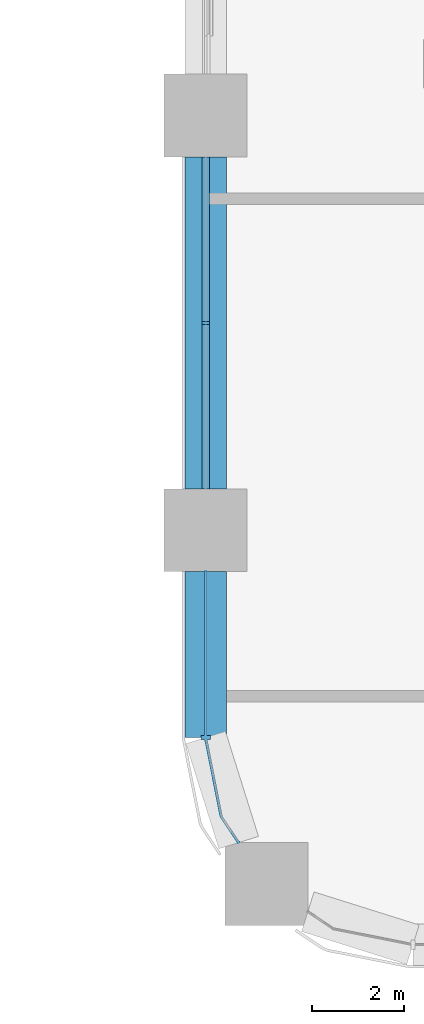
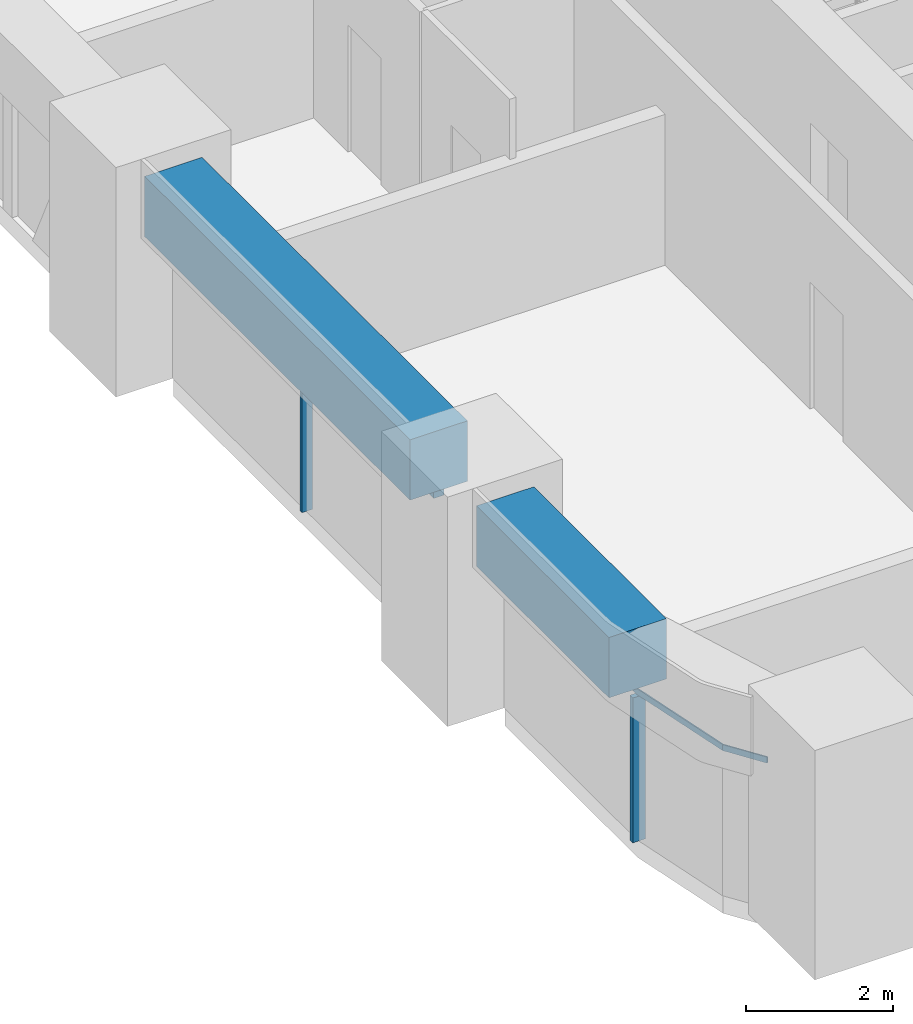
# One storey, part 2 of 18: 4 members, 2 beams, 2 elements without a shape of their own.
"""IFC4 building model written with IfcOpenShell, lengths in metres."""

import ifcopenshell
import ifcopenshell.guid

model = None  # the IFC model being written
_history = None  # IfcOwnerHistory: only IFC2X3 demands one
_inside = {}  # id of a spatial element -> (the spatial element, [elements in it])
_under = {}  # id of a project, library or spatial element -> (it, [spatial elements below it])
_declared = {}  # id of a project -> (the project, [libraries it declares])
_typed = {}  # id of a type object -> (the type object, [elements of that type])
_made_of = {}  # id of a material, layer set ... -> (it, [elements and type objects made of it])


def new_model(schema):
    """Start an empty IFC model of exactly this schema.

    Asked for "IFC4X3", IfcOpenShell would pick the latest addendum, in which some entities
    have other attributes; the version numbers below select the first issue.
    IFC2X3 requires an IfcOwnerHistory on every rooted entity: one is made here for all.
    """
    global model, _history
    if schema == "IFC4X3":
        model = ifcopenshell.file(schema_version=(4, 3, 0, 0))
    else:
        model = ifcopenshell.file(schema=schema)
    _inside.clear()
    _under.clear()
    _declared.clear()
    _typed.clear()
    _made_of.clear()
    _history = None
    if model.schema == "IFC2X3":
        org = make("IfcOrganization", Name="unknown")
        user = make(
            "IfcPersonAndOrganization",
            ThePerson=make("IfcPerson", FamilyName="unknown"),
            TheOrganization=org,
        )
        app = make(
            "IfcApplication",
            ApplicationDeveloper=org,
            Version="unknown",
            ApplicationFullName="unknown",
            ApplicationIdentifier="unknown",
        )
        _history = make(
            "IfcOwnerHistory",
            OwningUser=user,
            OwningApplication=app,
            ChangeAction="ADDED",
            CreationDate=0,
        )
    return model


def make(cls, **values):
    """One entity of the class cls with the attributes given. An attribute that is None is left unset."""
    return model.create_entity(
        cls, **{name: value for name, value in values.items() if value is not None}
    )


def rooted(cls, **values):
    """An entity with a GlobalId (a new one), such as an element, a storey or a relation."""
    return make(cls, GlobalId=ifcopenshell.guid.new(), OwnerHistory=_history, **values)


def si_unit(unit_type, name, prefix=None):
    """IfcSIUnit, for example si_unit("LENGTHUNIT", "METRE", prefix="MILLI")."""
    return make("IfcSIUnit", UnitType=unit_type, Prefix=prefix, Name=name)


def assignment(units):
    """IfcUnitAssignment: the units of a project."""
    return None if units is None else make("IfcUnitAssignment", Units=units)


def point(xyz):
    """IfcCartesianPoint."""
    return None if xyz is None else make("IfcCartesianPoint", Coordinates=xyz)


def direction(xyz):
    """IfcDirection."""
    return None if xyz is None else make("IfcDirection", DirectionRatios=xyz)


def frame(location, z_axis=None, x_axis=None):
    """IfcAxis2Placement3D, a coordinate frame: its origin and axes. An axis left out is left unset."""
    return make(
        "IfcAxis2Placement3D",
        Location=point(location),
        Axis=direction(z_axis),
        RefDirection=direction(x_axis),
    )


def frame_2d(location, x_axis=None):
    """IfcAxis2Placement2D, a coordinate frame in the plane: its origin and x axis."""
    return make(
        "IfcAxis2Placement2D", Location=point(location), RefDirection=direction(x_axis)
    )


def origin():
    """The frame at (0, 0, 0) with its axes left unset."""
    return frame((0.0, 0.0, 0.0))


def origin_2d():
    """The frame at (0, 0) in the plane with its x axis left unset."""
    return frame_2d((0.0, 0.0))


def place(relative_to, where):
    """IfcLocalPlacement: puts the frame where relative to a parent placement (None: the world)."""
    return make(
        "IfcLocalPlacement", PlacementRelTo=relative_to, RelativePlacement=where
    )


def context(
    kind, dimensions, precision=None, world=None, true_north=None, identifier=None
):
    """IfcGeometricRepresentationContext, for example the 3D "Model" context."""
    return make(
        "IfcGeometricRepresentationContext",
        ContextIdentifier=identifier,
        ContextType=kind,
        CoordinateSpaceDimension=dimensions,
        Precision=precision,
        WorldCoordinateSystem=world,
        TrueNorth=true_north,
    )


def subcontext(parent, identifier, kind, view, scale=None):
    """IfcGeometricRepresentationSubContext, for example "Body" below "Model"."""
    return make(
        "IfcGeometricRepresentationSubContext",
        ContextIdentifier=identifier,
        ContextType=kind,
        ParentContext=parent,
        TargetScale=scale,
        TargetView=view,
    )


def project(units=None, contexts=None):
    """IfcProject with its units and contexts."""
    return rooted(
        "IfcProject",
        Name="project",
        RepresentationContexts=contexts,
        UnitsInContext=assignment(units),
    )


def spatial(cls, under=None, at=None, **own):
    """A site, building, storey or space (cls), placed at a placement, below another one or the project."""
    s = rooted(cls, ObjectPlacement=at, **own)
    if under is not None:
        _under.setdefault(under.id(), (under, []))[1].append(s)
    return s


def polyline(points):
    """IfcPolyline through the points."""
    return make("IfcPolyline", Points=[point(p) for p in points])


def profile(cls, at=None, kind="AREA", **sizes):
    """A parametric profile (cls). Its sizes go by their IFC names, for example OverallWidth=200.0."""
    return make(cls, ProfileType=kind, Position=at, **sizes)


def rectangle(**sizes):
    """IfcRectangleProfileDef."""
    return profile("IfcRectangleProfileDef", **sizes)


def outline(outer, holes=None, kind="AREA"):
    """IfcArbitraryClosedProfileDef: a profile drawn as a closed curve; with holes, ...WithVoids."""
    if holes is None:
        return make("IfcArbitraryClosedProfileDef", ProfileType=kind, OuterCurve=outer)
    return make(
        "IfcArbitraryProfileDefWithVoids",
        ProfileType=kind,
        OuterCurve=outer,
        InnerCurves=holes,
    )


def extrude(swept, where, along, depth):
    """IfcExtrudedAreaSolid: the profile swept, set in the frame where, extruded along a direction by depth."""
    return make(
        "IfcExtrudedAreaSolid",
        SweptArea=swept,
        Position=where,
        ExtrudedDirection=direction(along),
        Depth=depth,
    )


def shape(context_of_items, identifier, shape_type, items):
    """IfcShapeRepresentation: the items that make up one representation, for example the "Body"."""
    return make(
        "IfcShapeRepresentation",
        ContextOfItems=context_of_items,
        RepresentationIdentifier=identifier,
        RepresentationType=shape_type,
        Items=items,
    )


def material(Name=None, Category=None):
    """IfcMaterial."""
    return make("IfcMaterial", Name=Name, Category=Category)


def material_profile(
    of_material, cross_section, Name=None, Category=None, Priority=None
):
    """IfcMaterialProfile: a cross section and its material."""
    return make(
        "IfcMaterialProfile",
        Name=Name,
        Material=of_material,
        Profile=cross_section,
        Priority=Priority,
        Category=Category,
    )


def profile_set(profiles, Name=None, composite=None):
    """IfcMaterialProfileSet."""
    return make(
        "IfcMaterialProfileSet",
        Name=Name,
        MaterialProfiles=profiles,
        CompositeProfile=composite,
    )


def made_of(thing, what):
    """Note that an element or type object is made of a material, layer set ...; save() writes the relation."""
    if what is not None:
        _made_of.setdefault(what.id(), (what, []))[1].append(thing)
    return thing


def type_object(cls, material=None, **own):
    """A type object (cls), such as IfcWallType, which elements share."""
    return made_of(rooted(cls, **own), material)


def element(
    cls,
    number,
    at=None,
    inside=None,
    cuts=None,
    type_object=None,
    material=None,
    context=None,
    identifier="Body",
    shape_type=None,
    held_by="IfcProductDefinitionShape",
    body=None,
    shapes=None,
    **own,
):
    """One element of the class cls, such as IfcWall. Its Tag is "e" and its number.

    at: its placement. inside: the storey or other place that contains it. cuts: it is an
    opening in that element (IfcRelVoidsElement). A single representation is given by context,
    identifier, shape_type and body (its items); several are given by shapes. held_by: the class
    of the entity that holds the representations. save() writes the other relations.
    """
    e = rooted(cls, Tag="e%d" % number, ObjectPlacement=at, **own)
    if body is not None:
        shapes = [shape(context, identifier, shape_type, body)]
    if shapes is not None:
        e.Representation = make(held_by, Representations=shapes)
    if inside is not None:
        _inside.setdefault(inside.id(), (inside, []))[1].append(e)
    if cuts is not None:
        rooted(
            "IfcRelVoidsElement", RelatingBuildingElement=cuts, RelatedOpeningElement=e
        )
    if type_object is not None:
        _typed.setdefault(type_object.id(), (type_object, []))[1].append(e)
    return made_of(e, material)


def aggregate(whole, parts):
    """IfcRelAggregates: a whole, such as a stair, and the parts it consists of."""
    return rooted("IfcRelAggregates", RelatingObject=whole, RelatedObjects=parts)


def save(model, path):
    """Write the relations noted so far, then the file.

    IfcRelAggregates (storeys below a building ...), IfcRelContainedInSpatialStructure (elements
    in a storey), IfcRelDefinesByType, IfcRelAssociatesMaterial and IfcRelDeclares: one each for
    every whole, place, type object, material and project.
    """
    for whole, parts in _under.values():
        aggregate(whole, parts)
    for where, things in _inside.values():
        rooted(
            "IfcRelContainedInSpatialStructure",
            RelatedElements=things,
            RelatingStructure=where,
        )
    for kind, things in _typed.values():
        rooted("IfcRelDefinesByType", RelatedObjects=things, RelatingType=kind)
    for what, things in _made_of.values():
        rooted("IfcRelAssociatesMaterial", RelatedObjects=things, RelatingMaterial=what)
    for by, libraries in _declared.values():
        rooted("IfcRelDeclares", RelatingContext=by, RelatedDefinitions=libraries)
    model.write(path)


model = new_model("IFC4")

# Units and contexts
model_context = context("Model", 3, precision=1e-05, world=origin(), true_north=direction((0.0, 1.0)))
body_context = subcontext(model_context, "Body", "Model", "MODEL_VIEW")
ifc_project = project(units=[si_unit("LENGTHUNIT", "METRE"), si_unit("AREAUNIT", "SQUARE_METRE"), si_unit("VOLUMEUNIT", "CUBIC_METRE"), si_unit("PLANEANGLEUNIT", "RADIAN"), si_unit("MASSUNIT", "GRAM", prefix="KILO")], contexts=[model_context])

# Site, building, storey
site_placement = place(None, origin())
site = spatial("IfcSite", under=ifc_project, at=site_placement, CompositionType="ELEMENT")
building_placement = place(site_placement, origin())
building = spatial("IfcBuilding", under=site, at=building_placement, Name="Tessera Arch", CompositionType="ELEMENT")
storey_placement = place(building_placement, frame((0.0, 0.0, 89.199951171875)))
storey = spatial("IfcBuildingStorey", under=building, at=storey_placement, Name="L20", CompositionType="ELEMENT", Elevation=89.199951171875)

# Curtain wall, members
ifc_material_1 = material(Name="CW1 curtain wall")
curtain_wall_type_1 = type_object("IfcCurtainWallType", Name="CW1 curtain wall", PredefinedType="NOTDEFINED", material=ifc_material_1)
curtain_wall_1_placement = place(storey_placement, origin())
curtain_wall_1 = element("IfcCurtainWall", 1, at=curtain_wall_1_placement, inside=storey, type_object=curtain_wall_type_1, Name="CW1 curtain wall W27.0/1 L20", PredefinedType="NOTDEFINED")
ifc_material_2 = material(Name="Anodised aluminium pale metal", Category="aluminium")
ifc_material_profile_1 = material_profile(ifc_material_2, rectangle(XDim=0.159912109375, YDim=0.06005859375, at=origin_2d()), Name="AL 60x160")
ifc_profile_set_1 = profile_set([ifc_material_profile_1], Name="Anodised aluminium pale metal")
member_type_1 = type_object("IfcMemberType", Name="CW1 mullion", PredefinedType="MULLION", material=ifc_profile_set_1)
member_1_placement = place(storey_placement, frame((27.0, 13.5, 0.0), z_axis=(0.0, 0.0, 1.0), x_axis=(1.0, 0.0, 0.0)))
member_1 = element("IfcMember", 2, at=member_1_placement, type_object=member_type_1, Name="CW1 mullion W27.0/1 1", PredefinedType="MULLION", context=body_context, shape_type="SweptSolid", body=[
    extrude(rectangle(XDim=0.159912109375, YDim=0.06005859375, at=origin_2d()), origin(), (0.0, 0.0, 1.0), 2.400146484375),
])
ifc_material_3 = material(Name="Anodised aluminium pale metal", Category="aluminium")
ifc_material_profile_2 = material_profile(ifc_material_3, rectangle(XDim=0.159912109375, YDim=0.10009765625, at=origin_2d()), Name="AL 160x100")
ifc_profile_set_2 = profile_set([ifc_material_profile_2], Name="Anodised aluminium pale metal")
member_type_2 = type_object("IfcMemberType", Name="CW1 transom", PredefinedType="USERDEFINED", material=ifc_profile_set_2)
member_2_placement = place(storey_placement, frame((27.0, 17.10009765625, 2.449951171875), z_axis=(0.0, -1.0, 0.0), x_axis=(1.0, 0.0, 0.0)))
member_2 = element("IfcMember", 3, at=member_2_placement, type_object=member_type_2, Name="CW1 transom W27.0/1 1.1", ObjectType="TRANSOM", PredefinedType="USERDEFINED", context=body_context, shape_type="SweptSolid", body=[
    extrude(rectangle(XDim=0.159912109375, YDim=0.10009765625, at=origin_2d()), origin(), (0.0, 0.0, 1.0), 7.2001953125),
])
aggregate(curtain_wall_1, [member_1, member_2])

ifc_material_4 = material(Name="CW2 curtain wall")
curtain_wall_type_2 = type_object("IfcCurtainWallType", Name="CW2 curtain wall", PredefinedType="NOTDEFINED", material=ifc_material_4)
curtain_wall_2_placement = place(storey_placement, origin())
curtain_wall_2 = element("IfcCurtainWall", 4, at=curtain_wall_2_placement, inside=storey, type_object=curtain_wall_type_2, Name="CW2 curtain wall W27.0/2 L20", PredefinedType="NOTDEFINED")
ifc_material_5 = material(Name="Anodised aluminium pale metal", Category="aluminium")
ifc_material_profile_3 = material_profile(ifc_material_5, rectangle(XDim=0.199951171875, YDim=0.080078125, at=origin_2d()), Name="AL 80x200")
ifc_profile_set_3 = profile_set([ifc_material_profile_3], Name="Anodised aluminium pale metal")
member_type_3 = type_object("IfcMemberType", Name="CW2 mullion", PredefinedType="MULLION", material=ifc_profile_set_3)
member_3_placement = place(storey_placement, frame((27.0, 4.5, 0.0), z_axis=(0.0, 0.0, 1.0), x_axis=(1.0, 0.0, 0.0)))
member_3 = element("IfcMember", 5, at=member_3_placement, type_object=member_type_3, Name="CW2 mullion W27.0/2 1", PredefinedType="MULLION", context=body_context, shape_type="SweptSolid", body=[
    extrude(rectangle(XDim=0.199951171875, YDim=0.080078125, at=origin_2d()), origin(), (0.0, 0.0, 1.0), 2.400146484375),
])
ifc_material_6 = material(Name="Anodised aluminium pale metal", Category="aluminium")
ifc_material_profile_4 = material_profile(ifc_material_6, rectangle(XDim=0.199951171875, YDim=0.10009765625, at=origin_2d()), Name="AL 200x100")
ifc_profile_set_4 = profile_set([ifc_material_profile_4], Name="Anodised aluminium pale metal")
member_type_4 = type_object("IfcMemberType", Name="CW2 transom", PredefinedType="USERDEFINED", material=ifc_profile_set_4)
member_4_placement = place(storey_placement, frame((0.0, 0.0, 2.400146484375)))
member_4 = element("IfcMember", 6, at=member_4_placement, type_object=member_type_4, Name="CW2 transom W27.0/2 1", ObjectType="TRANSOM", PredefinedType="USERDEFINED", context=body_context, shape_type="SweptSolid", body=[
    extrude(outline(polyline([(27.010009765625, 4.5009765625), (27.010009765625, 8.10009765625), (26.989990234375, 8.10009765625), (26.989990234375, 4.4990234375), (27.3330078125, 2.77392578125), (27.70849609375, 2.21240234375), (27.72509765625, 2.2236328125), (27.351806640625, 2.78173828125), (27.010009765625, 4.5009765625)])), origin(), (0.0, 0.0, 1.0), 0.099853515625),
])
aggregate(curtain_wall_2, [member_3, member_4])

# Beams
ifc_material_7 = material(Name="Concrete C80/95", Category="concrete")
ifc_material_profile_5 = material_profile(ifc_material_7, rectangle(XDim=0.89990234375, YDim=1.0, at=origin_2d()), Name="RC spandrel beam 900 x 1000 Concrete C80/95")
ifc_profile_set_5 = profile_set([ifc_material_profile_5], Name="Concrete C80/95")
beam_type = type_object("IfcBeamType", Name="RC spandrel beam 900 x 1000 Concrete C80/95", PredefinedType="BEAM", material=ifc_profile_set_5)
beam_1_placement = place(storey_placement, frame((27.0, 17.10009765625, 3.0), z_axis=(0.0, -1.0, 0.0), x_axis=(1.0, 0.0, 0.0)))
element("IfcBeam", 7, at=beam_1_placement, inside=storey, type_object=beam_type, Name="Spandrel beam L20 W27.0/1", PredefinedType="BEAM", context=body_context, shape_type="SweptSolid", body=[
    extrude(rectangle(XDim=0.89990234375, YDim=1.0, at=origin_2d()), origin(), (0.0, 0.0, 1.0), 7.2001953125),
])
beam_2_placement = place(storey_placement, frame((27.0, 8.10009765625, 3.0), z_axis=(0.0, -1.0, 0.0), x_axis=(1.0, 0.0, 0.0)))
element("IfcBeam", 8, at=beam_2_placement, inside=storey, type_object=beam_type, Name="Spandrel beam L20 W27.0/2.1", PredefinedType="BEAM", context=body_context, shape_type="SweptSolid", body=[
    extrude(rectangle(XDim=0.89990234375, YDim=1.0, at=origin_2d()), origin(), (0.0, 0.0, 1.0), 3.60009765625),
])

save(model, "model.ifc")
